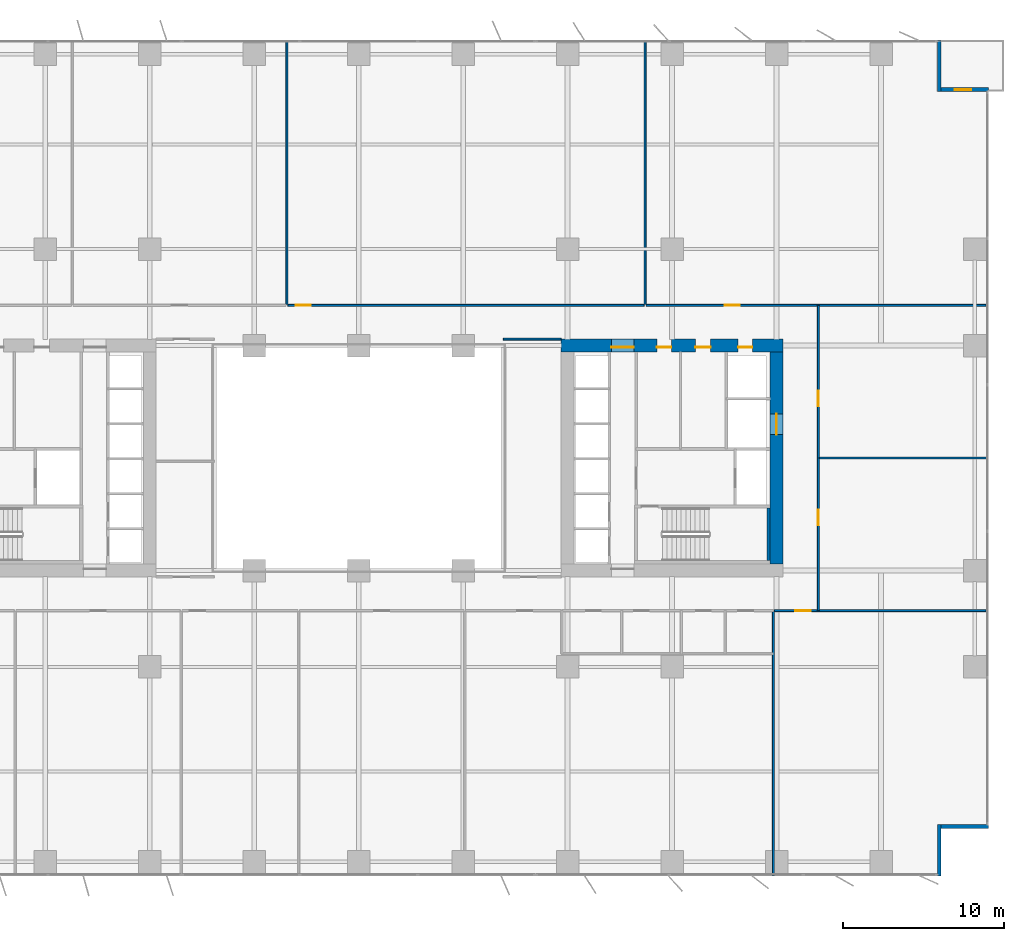
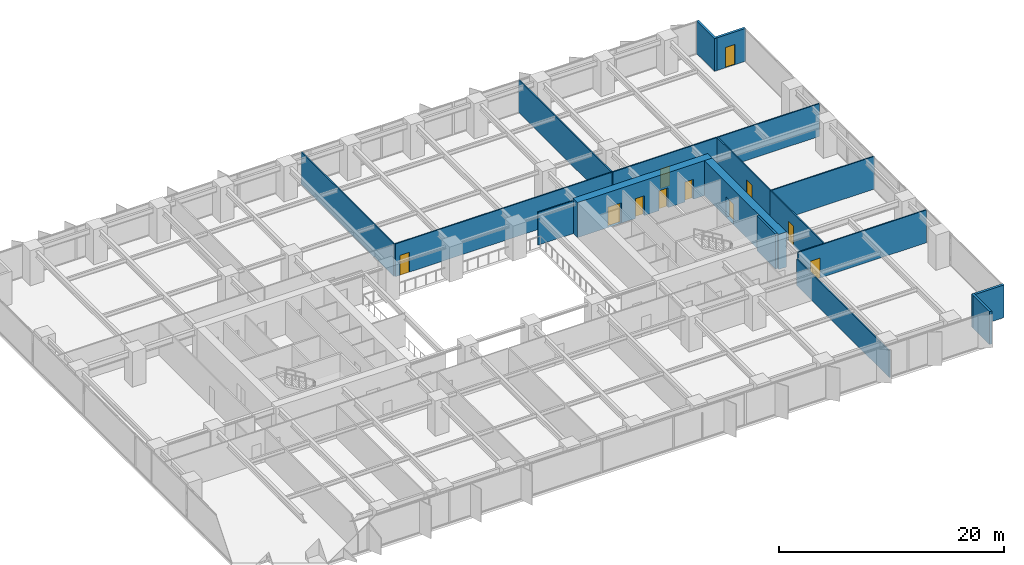
# One storey, part 15 of 20: 17 walls, 11 doors, 11 openings.
"""IFC4 building model written with IfcOpenShell, lengths in metres."""

from ifc_helpers import new_model, si_unit, direction, frame, frame_2d, origin, place, context, subcontext, project, spatial, rectangle, extrude, material, layer, layer_set, type_object, element, fill, save


model = new_model("IFC4")

# Units and contexts
model_context = context("Model", 3, precision=1e-05, world=origin(), true_north=direction((0.0, 1.0)))
body_context = subcontext(model_context, "Body", "Model", "MODEL_VIEW")
ifc_project = project(units=[si_unit("LENGTHUNIT", "METRE"), si_unit("AREAUNIT", "SQUARE_METRE"), si_unit("VOLUMEUNIT", "CUBIC_METRE"), si_unit("PLANEANGLEUNIT", "RADIAN"), si_unit("MASSUNIT", "GRAM", prefix="KILO")], contexts=[model_context])

# Site, building, storey
site_placement = place(None, origin())
site = spatial("IfcSite", under=ifc_project, at=site_placement, CompositionType="ELEMENT")
building_placement = place(site_placement, origin())
building = spatial("IfcBuilding", under=site, at=building_placement, Name="Putna Gate Headquarters", CompositionType="ELEMENT")
storey_placement = place(building_placement, frame((0.0, 0.0, 65.800048828125)))
storey = spatial("IfcBuildingStorey", under=building, at=storey_placement, Name="L15", CompositionType="ELEMENT", Elevation=65.800048828125)

# Wall, openings, doors
ifc_material_1 = material(Name="Concrete C60/75", Category="concrete")
ifc_layer_1 = layer(ifc_material_1, 0.800048828125)
ifc_layer_set_1 = layer_set([ifc_layer_1], Name="Concrete C60/75")
wall_type_1 = type_object("IfcWallType", Name="WALL-CORE-800", PredefinedType="SHEAR", material=ifc_layer_set_1)
wall_1_placement = place(storey_placement, frame((51.60009765625, 33.0, 0.0), z_axis=(0.0, 0.0, 1.0), x_axis=(1.0, 0.0, 0.0)))
wall_1 = element("IfcWall", 1, at=wall_1_placement, inside=storey, type_object=wall_type_1, Name="L15 EC Split Core Shear Wall N", PredefinedType="SHEAR", context=body_context, shape_type="SweptSolid", body=[
    extrude(rectangle(XDim=13.7998046875, YDim=0.800048828125, at=frame_2d((6.89990234375, 0.0))), origin(), (0.0, 0.0, 1.0), 3.800048828125),
])
opening_1_placement = place(wall_1_placement, frame((3.1201171875, 0.0, 0.0)))
opening_1 = element("IfcOpeningElement", 2, at=opening_1_placement, cuts=wall_1, Name="Opening FDD-140", PredefinedType="OPENING", context=body_context, shape_type="SweptSolid", body=[
    extrude(rectangle(XDim=1.39990234375, YDim=2.199951171875, at=frame_2d((0.699951171875, 1.10009765625))), frame((0.0, 0.409912109375, 0.0), z_axis=(0.0, -1.0, 0.0), x_axis=(1.0, 0.0, 0.0)), (0.0, 0.0, 1.0), 0.820068359375),
])
opening_2_placement = place(wall_1_placement, frame((11.0, 0.0, 0.0)))
opening_2 = element("IfcOpeningElement", 3, at=opening_2_placement, cuts=wall_1, Name="Opening RD-90", PredefinedType="OPENING", context=body_context, shape_type="SweptSolid", body=[
    extrude(rectangle(XDim=0.89990234375, YDim=2.14990234375, at=frame_2d((0.449951171875, 1.074951171875))), frame((0.0, 0.409912109375, 0.0), z_axis=(0.0, -1.0, 0.0), x_axis=(1.0, 0.0, 0.0)), (0.0, 0.0, 1.0), 0.820068359375),
])
opening_3_placement = place(wall_1_placement, frame((5.949951171875, 0.0, 0.0)))
opening_3 = element("IfcOpeningElement", 4, at=opening_3_placement, cuts=wall_1, Name="Opening IDS-90", PredefinedType="OPENING", context=body_context, shape_type="SweptSolid", body=[
    extrude(rectangle(XDim=0.89990234375, YDim=2.14990234375, at=frame_2d((0.449951171875, 1.074951171875))), frame((0.0, 0.409912109375, 0.0), z_axis=(0.0, -1.0, 0.0), x_axis=(1.0, 0.0, 0.0)), (0.0, 0.0, 1.0), 0.820068359375),
])
opening_4_placement = place(wall_1_placement, frame((8.35009765625, 0.0, 0.0)))
opening_4 = element("IfcOpeningElement", 5, at=opening_4_placement, cuts=wall_1, Name="Opening IDS-95", PredefinedType="OPENING", context=body_context, shape_type="SweptSolid", body=[
    extrude(rectangle(XDim=0.949951171875, YDim=2.14990234375, at=frame_2d((0.47509765625, 1.074951171875))), frame((0.0, 0.409912109375, 0.0), z_axis=(0.0, -1.0, 0.0), x_axis=(1.0, 0.0, 0.0)), (0.0, 0.0, 1.0), 0.820068359375),
])
ifc_material_2 = material(Name="Double steel fire door", Category="steel")
door_type_1 = type_object("IfcDoorType", Name="DOOR-FIRE-DBL-1400", OperationType="DOUBLE_DOOR_SINGLE_SWING", PredefinedType="DOOR", material=ifc_material_2)
door_1_placement = place(opening_1_placement, origin())
door_1 = element("IfcDoor", 6, at=door_1_placement, inside=storey, type_object=door_type_1, Name="L15 East Lift Lobby North Door", OperationType="DOUBLE_DOOR_SINGLE_SWING", OverallHeight=2.199951171875, OverallWidth=1.39990234375, PredefinedType="DOOR", context=body_context, shape_type="SweptSolid", body=[
    extrude(rectangle(XDim=1.39990234375, YDim=2.199951171875, at=frame_2d((0.699951171875, 1.10009765625))), frame((0.0, -0.0751953125, 0.0), z_axis=(0.0, -1.0, 0.0), x_axis=(1.0, 0.0, 0.0)), (0.0, 0.0, 1.0), 0.050048828125),
])
fill(opening_1, door_1)
ifc_material_3 = material(Name="Fire-rated utility door")
door_type_2 = type_object("IfcDoorType", Name="DOOR-INT-900", OperationType="NOTDEFINED", PredefinedType="DOOR", material=ifc_material_3)
door_2_placement = place(opening_3_placement, origin())
door_2 = element("IfcDoor", 7, at=door_2_placement, inside=storey, type_object=door_type_2, Name="L15 Telecoms Plant Door", OperationType="SINGLE_SWING_LEFT", OverallHeight=2.14990234375, OverallWidth=0.89990234375, PredefinedType="DOOR", context=body_context, shape_type="SweptSolid", body=[
    extrude(rectangle(XDim=0.89990234375, YDim=2.14990234375, at=frame_2d((0.449951171875, 1.074951171875))), frame((0.0, -0.0751953125, 0.0), z_axis=(0.0, -1.0, 0.0), x_axis=(1.0, 0.0, 0.0)), (0.0, 0.0, 1.0), 0.050048828125),
])
fill(opening_3, door_2)
ifc_material_4 = material(Name="Fire-rated service timber door", Category="wood")
door_type_3 = type_object("IfcDoorType", Name="DOOR-INT-950", OperationType="NOTDEFINED", PredefinedType="DOOR", material=ifc_material_4)
door_3_placement = place(opening_4_placement, origin())
door_3 = element("IfcDoor", 8, at=door_3_placement, inside=storey, type_object=door_type_3, Name="L15 Supplies Store Door", OperationType="SINGLE_SWING_RIGHT", OverallHeight=2.14990234375, OverallWidth=0.949951171875, PredefinedType="DOOR", context=body_context, shape_type="SweptSolid", body=[
    extrude(rectangle(XDim=0.949951171875, YDim=2.14990234375, at=frame_2d((0.47509765625, 1.074951171875))), frame((0.0, -0.0751953125, 0.0), z_axis=(0.0, -1.0, 0.0), x_axis=(1.0, 0.0, 0.0)), (0.0, 0.0, 1.0), 0.050048828125),
])
fill(opening_4, door_3)
ifc_material_5 = material(Name="Steel riser access fire door", Category="steel")
door_type_4 = type_object("IfcDoorType", Name="DOOR-RISER-900", OperationType="NOTDEFINED", PredefinedType="DOOR", material=ifc_material_5)
door_4_placement = place(opening_2_placement, origin())
door_4 = element("IfcDoor", 9, at=door_4_placement, inside=storey, type_object=door_type_4, Name="L15 East Riser Access Door", OperationType="SINGLE_SWING_LEFT", OverallHeight=2.14990234375, OverallWidth=0.89990234375, PredefinedType="DOOR", context=body_context, shape_type="SweptSolid", body=[
    extrude(rectangle(XDim=0.89990234375, YDim=2.14990234375, at=frame_2d((0.449951171875, 1.074951171875))), frame((0.0, -0.0751953125, 0.0), z_axis=(0.0, -1.0, 0.0), x_axis=(1.0, 0.0, 0.0)), (0.0, 0.0, 1.0), 0.050048828125),
])
fill(opening_2, door_4)

# Wall, opening, door
wall_2_placement = place(storey_placement, frame((65.0, 19.39990234375, 0.0), z_axis=(0.0, 0.0, 1.0), x_axis=(0.0, 1.0, 0.0)))
wall_2 = element("IfcWall", 10, at=wall_2_placement, inside=storey, type_object=wall_type_1, Name="L15 EC Split Core Shear Wall E", PredefinedType="SHEAR", context=body_context, shape_type="SweptSolid", body=[
    extrude(rectangle(XDim=13.2001953125, YDim=0.800048828125, at=frame_2d((6.60009765625, 0.0))), origin(), (0.0, 0.0, 1.0), 3.800048828125),
])
opening_5_placement = place(wall_2_placement, frame((8.050048828125, 0.0, 0.0)))
opening_5 = element("IfcOpeningElement", 11, at=opening_5_placement, cuts=wall_2, Name="Opening LD-2", PredefinedType="OPENING", context=body_context, shape_type="SweptSolid", body=[
    extrude(rectangle(XDim=1.300048828125, YDim=2.199951171875, at=frame_2d((0.64990234375, 1.10009765625))), frame((0.0, 0.409912109375, 0.0), z_axis=(0.0, -1.0, 0.0), x_axis=(1.0, 0.0, 0.0)), (0.0, 0.0, 1.0), 0.820068359375),
])
ifc_material_6 = material(Name="Heavy-duty goods lift sliding landing door")
door_type_5 = type_object("IfcDoorType", Name="DOOR-LIFT-1300", OperationType="DOUBLE_DOOR_SLIDING", PredefinedType="DOOR", material=ifc_material_6)
door_5_placement = place(opening_5_placement, origin())
door_5 = element("IfcDoor", 12, at=door_5_placement, inside=storey, type_object=door_type_5, Name="L15 Goods Lift Landing Door LD-15", OperationType="DOUBLE_DOOR_SLIDING", OverallHeight=2.199951171875, OverallWidth=1.300048828125, PredefinedType="DOOR", context=body_context, shape_type="SweptSolid", body=[
    extrude(rectangle(XDim=1.300048828125, YDim=2.199951171875, at=frame_2d((0.64990234375, 1.10009765625))), frame((0.0, 0.02490234375, 0.0), z_axis=(0.0, -1.0, 0.0), x_axis=(1.0, 0.0, 0.0)), (0.0, 0.0, 1.0), 0.050048828125),
])
fill(opening_5, door_5)

# Wall
ifc_material_7 = material(Name="Precast concrete C40/50", Category="concrete")
ifc_layer_2 = layer(ifc_material_7, 0.239990234375)
ifc_layer_set_2 = layer_set([ifc_layer_2], Name="Precast concrete C40/50")
wall_type_2 = type_object("IfcWallType", Name="WALL-EXT-TERR-240", PredefinedType="STANDARD", material=ifc_layer_set_2)
wall_3_placement = place(storey_placement, frame((75.1201171875, 52.0, 0.0), z_axis=(0.0, 0.0, 1.0), x_axis=(0.0, -1.0, 0.0)))
element("IfcWall", 13, at=wall_3_placement, inside=storey, type_object=wall_type_2, Name="L15 Corner Notch Return Wall NE-V", PredefinedType="STANDARD", context=body_context, shape_type="SweptSolid", body=[
    extrude(rectangle(XDim=3.199951171875, YDim=0.239990234375, at=frame_2d((1.60009765625, 0.0))), origin(), (0.0, 0.0, 1.0), 3.550048828125),
])

# Wall, opening, door
wall_4_placement = place(storey_placement, frame((75.0, 48.919921875, 0.0), z_axis=(0.0, 0.0, 1.0), x_axis=(1.0, 0.0, 0.0)))
wall_4 = element("IfcWall", 14, at=wall_4_placement, inside=storey, type_object=wall_type_2, Name="L15 Corner Notch Return Wall NE-H", PredefinedType="STANDARD", context=body_context, shape_type="SweptSolid", body=[
    extrude(rectangle(XDim=3.199951171875, YDim=0.239990234375, at=frame_2d((1.60009765625, 0.0))), origin(), (0.0, 0.0, 1.0), 3.550048828125),
])
opening_6_placement = place(wall_4_placement, frame((1.10009765625, 0.0, 0.0)))
opening_6 = element("IfcOpeningElement", 15, at=opening_6_placement, cuts=wall_4, Name="Opening TRD-1", PredefinedType="OPENING", context=body_context, shape_type="SweptSolid", body=[
    extrude(rectangle(XDim=1.0, YDim=2.199951171875, at=frame_2d((0.5, 1.10009765625))), frame((0.0, 0.1298828125, 0.0), z_axis=(0.0, -1.0, 0.0), x_axis=(1.0, 0.0, 0.0)), (0.0, 0.0, 1.0), 0.260009765625),
])
ifc_material_8 = material(Name="Thermally broken bronze glazed terrace door")
door_type_6 = type_object("IfcDoorType", Name="DOOR-TERR-EXT-1000", OperationType="NOTDEFINED", PredefinedType="DOOR", material=ifc_material_8)
door_6_placement = place(opening_6_placement, origin())
door_6 = element("IfcDoor", 16, at=door_6_placement, inside=storey, type_object=door_type_6, Name="L15 Spiral Sky Terrace Door NE", OperationType="SINGLE_SWING_LEFT", OverallHeight=2.199951171875, OverallWidth=1.0, PredefinedType="DOOR", context=body_context, shape_type="SweptSolid", body=[
    extrude(rectangle(XDim=1.0, YDim=2.199951171875, at=frame_2d((0.5, 1.10009765625))), frame((0.0, 0.02490234375, 0.0), z_axis=(0.0, -1.0, 0.0), x_axis=(1.0, 0.0, 0.0)), (0.0, 0.0, 1.0), 0.050048828125),
])
fill(opening_6, door_6)

# Walls
for number, where, z_axis, x_axis, name in (
    (17, (75.1201171875, 3.199951171875, 0.0), (0.0, 0.0, 1.0), (0.0, -1.0, 0.0), "L15 Corner Notch Return Wall SE-V"),
    (18, (78.199951171875, 3.080078125, 0.0), (0.0, 0.0, 1.0), (-1.0, 0.0, 0.0), "L15 Corner Notch Return Wall SE-H"),
):
    element("IfcWall", number, at=place(storey_placement, frame(where, z_axis=z_axis, x_axis=x_axis)), inside=storey, type_object=wall_type_2, Name=name, PredefinedType="STANDARD", context=body_context, shape_type="SweptSolid", body=[
        extrude(rectangle(XDim=3.199951171875, YDim=0.239990234375, at=frame_2d((1.60009765625, 0.0))), origin(), (0.0, 0.0, 1.0), 3.550048828125),
    ])
ifc_material_9 = material(Name="Acoustic gypsum board on metal stud")
ifc_layer_3 = layer(ifc_material_9, 0.1201171875)
ifc_layer_set_3 = layer_set([ifc_layer_3], Name="Acoustic gypsum board on metal stud")
wall_type_3 = type_object("IfcWallType", Name="WALL-PART-120", PredefinedType="PARTITIONING", material=ifc_layer_set_3)
wall_5_placement = place(storey_placement, frame((48.0, 33.39990234375, 0.0), z_axis=(0.0, 0.0, 1.0), x_axis=(1.0, 0.0, 0.0)))
element("IfcWall", 19, at=wall_5_placement, inside=storey, type_object=wall_type_3, Name="L15 Interior Wall PART-L15-ATR-E-N", PredefinedType="PARTITIONING", context=body_context, shape_type="SweptSolid", body=[
    extrude(rectangle(XDim=3.60009765625, YDim=0.1201171875, at=frame_2d((1.800048828125, 0.0))), origin(), (0.0, 0.0, 1.0), 3.550048828125),
])
for number, where, z_axis, x_axis, name in (
    (20, (34.5283203125, 35.56005859375, 0.0), (0.0, 0.0, 1.0), (0.0, 1.0, 0.0), "L15 Interior Wall PART-L15-NB-DIV-02"),
    (21, (56.82421875, 35.56005859375, 0.0), (0.0, 0.0, 1.0), (0.0, 1.0, 0.0), "L15 Interior Wall PART-L15-NB-DIV-03"),
):
    element("IfcWall", number, at=place(storey_placement, frame(where, z_axis=z_axis, x_axis=x_axis)), inside=storey, type_object=wall_type_3, Name=name, PredefinedType="PARTITIONING", context=body_context, shape_type="SweptSolid", body=[
        extrude(rectangle(XDim=16.419921875, YDim=0.1201171875, at=frame_2d((8.2099609375, 0.0))), origin(), (0.0, 0.0, 1.0), 3.550048828125),
    ])
wall_6_placement = place(storey_placement, frame((64.800048828125, 0.02001953125, 0.0), z_axis=(0.0, 0.0, 1.0), x_axis=(0.0, 1.0, 0.0)))
element("IfcWall", 22, at=wall_6_placement, inside=storey, type_object=wall_type_3, Name="L15 Interior Wall PART-L15-SB-DIV-06", PredefinedType="PARTITIONING", context=body_context, shape_type="SweptSolid", body=[
    extrude(rectangle(XDim=16.419921875, YDim=0.1201171875, at=frame_2d((8.2099609375, 0.0))), origin(), (0.0, 0.0, 1.0), 2.89990234375),
])
wall_7_placement = place(storey_placement, frame((67.60009765625, 26.0, 0.0), z_axis=(0.0, 0.0, 1.0), x_axis=(1.0, 0.0, 0.0)))
element("IfcWall", 23, at=wall_7_placement, inside=storey, type_object=wall_type_3, Name="L15 Interior Wall PART-L15-EW-DIV-1", PredefinedType="PARTITIONING", context=body_context, shape_type="SweptSolid", body=[
    extrude(rectangle(XDim=10.579833984375, YDim=0.1201171875, at=frame_2d((5.2900390625, 0.0))), origin(), (0.0, 0.0, 1.0), 3.550048828125),
])

# Wall, opening, door
ifc_material_10 = material(Name="Fire-rated gypsum board on metal stud")
ifc_layer_4 = layer(ifc_material_10, 0.1201171875)
ifc_layer_set_4 = layer_set([ifc_layer_4], Name="Fire-rated gypsum board on metal stud")
wall_type_4 = type_object("IfcWallType", Name="WALL-PART-120-RATED", PredefinedType="PARTITIONING", material=ifc_layer_set_4)
wall_8_placement = place(storey_placement, frame((34.58837890625, 35.5, 0.0), z_axis=(0.0, 0.0, 1.0), x_axis=(1.0, 0.0, 0.0)))
wall_8 = element("IfcWall", 24, at=wall_8_placement, inside=storey, type_object=wall_type_4, Name="L15 Interior Wall PART-L15-NB-CW-03", PredefinedType="PARTITIONING", context=body_context, shape_type="SweptSolid", body=[
    extrude(rectangle(XDim=22.176025390625, YDim=0.1201171875, at=frame_2d((11.087890625, 0.0))), origin(), (0.0, 0.0, 1.0), 3.550048828125),
])
opening_7_placement = place(wall_8_placement, frame((0.47998046875, 0.0, 0.0)))
opening_7 = element("IfcOpeningElement", 25, at=opening_7_placement, cuts=wall_8, Name="Opening FD-95", PredefinedType="OPENING", context=body_context, shape_type="SweptSolid", body=[
    extrude(rectangle(XDim=0.949951171875, YDim=2.14990234375, at=frame_2d((0.47509765625, 1.074951171875))), frame((0.0, 0.070068359375, 0.0), z_axis=(0.0, -1.0, 0.0), x_axis=(1.0, 0.0, 0.0)), (0.0, 0.0, 1.0), 0.14013671875),
])
ifc_material_11 = material(Name="Acoustic timber fire door", Category="wood")
door_type_7 = type_object("IfcDoorType", Name="DOOR-FIRE-950", OperationType="NOTDEFINED", PredefinedType="DOOR", material=ifc_material_11)
door_7_placement = place(opening_7_placement, origin())
door_7 = element("IfcDoor", 26, at=door_7_placement, inside=storey, type_object=door_type_7, Name="L15 Conference Meeting Room 3 Door", OperationType="SINGLE_SWING_RIGHT", OverallHeight=2.14990234375, OverallWidth=0.949951171875, PredefinedType="DOOR", context=body_context, shape_type="SweptSolid", body=[
    extrude(rectangle(XDim=0.949951171875, YDim=2.14990234375, at=frame_2d((0.47509765625, 1.074951171875))), frame((0.0, 0.02490234375, 0.0), z_axis=(0.0, -1.0, 0.0), x_axis=(1.0, 0.0, 0.0)), (0.0, 0.0, 1.0), 0.050048828125),
])
fill(opening_7, door_7)

wall_9_placement = place(storey_placement, frame((56.88427734375, 35.5, 0.0), z_axis=(0.0, 0.0, 1.0), x_axis=(1.0, 0.0, 0.0)))
wall_9 = element("IfcWall", 27, at=wall_9_placement, inside=storey, type_object=wall_type_4, Name="L15 Interior Wall PART-L15-NB-CW-04", PredefinedType="PARTITIONING", context=body_context, shape_type="SweptSolid", body=[
    extrude(rectangle(XDim=21.1357421875, YDim=0.1201171875, at=frame_2d((10.56787109375, 0.0))), origin(), (0.0, 0.0, 1.0), 3.550048828125),
])
opening_8_placement = place(wall_9_placement, frame((4.8828125, 0.0, 0.0)))
opening_8 = element("IfcOpeningElement", 28, at=opening_8_placement, cuts=wall_9, Name="Opening FD-95", PredefinedType="OPENING", context=body_context, shape_type="SweptSolid", body=[
    extrude(rectangle(XDim=0.949951171875, YDim=2.14990234375, at=frame_2d((0.47509765625, 1.074951171875))), frame((0.0, 0.070068359375, 0.0), z_axis=(0.0, -1.0, 0.0), x_axis=(1.0, 0.0, 0.0)), (0.0, 0.0, 1.0), 0.14013671875),
])
door_8_placement = place(opening_8_placement, origin())
door_8 = element("IfcDoor", 29, at=door_8_placement, inside=storey, type_object=door_type_7, Name="L15 Cellular Office 1 Door", OperationType="SINGLE_SWING_LEFT", OverallHeight=2.14990234375, OverallWidth=0.949951171875, PredefinedType="DOOR", context=body_context, shape_type="SweptSolid", body=[
    extrude(rectangle(XDim=0.949951171875, YDim=2.14990234375, at=frame_2d((0.47509765625, 1.074951171875))), frame((0.0, 0.02490234375, 0.0), z_axis=(0.0, -1.0, 0.0), x_axis=(1.0, 0.0, 0.0)), (0.0, 0.0, 1.0), 0.050048828125),
])
fill(opening_8, door_8)

wall_10_placement = place(storey_placement, frame((64.860107421875, 16.5, 0.0), z_axis=(0.0, 0.0, 1.0), x_axis=(1.0, 0.0, 0.0)))
wall_10 = element("IfcWall", 30, at=wall_10_placement, inside=storey, type_object=wall_type_4, Name="L15 Interior Wall PART-L15-SB-CW-07", PredefinedType="PARTITIONING", context=body_context, shape_type="SweptSolid", body=[
    extrude(rectangle(XDim=13.159912109375, YDim=0.1201171875, at=frame_2d((6.580078125, 0.0))), origin(), (0.0, 0.0, 1.0), 3.550048828125),
])
opening_9_placement = place(wall_10_placement, frame((1.31005859375, 0.0, 0.0)))
opening_9 = element("IfcOpeningElement", 31, at=opening_9_placement, cuts=wall_10, Name="Opening FD-95", PredefinedType="OPENING", context=body_context, shape_type="SweptSolid", body=[
    extrude(rectangle(XDim=0.949951171875, YDim=2.14990234375, at=frame_2d((0.47509765625, 1.074951171875))), frame((0.0, 0.070068359375, 0.0), z_axis=(0.0, -1.0, 0.0), x_axis=(1.0, 0.0, 0.0)), (0.0, 0.0, 1.0), 0.14013671875),
])
door_9_placement = place(opening_9_placement, origin())
door_9 = element("IfcDoor", 32, at=door_9_placement, inside=storey, type_object=door_type_7, Name="L15 Conference Meeting Room 1 Door", OperationType="SINGLE_SWING_RIGHT", OverallHeight=2.14990234375, OverallWidth=0.949951171875, PredefinedType="DOOR", context=body_context, shape_type="SweptSolid", body=[
    extrude(rectangle(XDim=0.949951171875, YDim=2.14990234375, at=frame_2d((0.47509765625, 1.074951171875))), frame((0.0, 0.02490234375, 0.0), z_axis=(0.0, -1.0, 0.0), x_axis=(1.0, 0.0, 0.0)), (0.0, 0.0, 1.0), 0.050048828125),
])
fill(opening_9, door_9)

wall_11_placement = place(storey_placement, frame((67.60009765625, 16.5, 0.0), z_axis=(0.0, 0.0, 1.0), x_axis=(0.0, 1.0, 0.0)))
wall_11 = element("IfcWall", 33, at=wall_11_placement, inside=storey, type_object=wall_type_4, Name="L15 Interior Wall PART-L15-EW-CW-1", PredefinedType="PARTITIONING", context=body_context, shape_type="SweptSolid", body=[
    extrude(rectangle(XDim=9.5, YDim=0.1201171875, at=frame_2d((4.75, 0.0))), origin(), (0.0, 0.0, 1.0), 3.550048828125),
])
opening_10_placement = place(wall_11_placement, frame((5.324951171875, 0.0, 0.0)))
opening_10 = element("IfcOpeningElement", 34, at=opening_10_placement, cuts=wall_11, Name="Opening FD-95", PredefinedType="OPENING", context=body_context, shape_type="SweptSolid", body=[
    extrude(rectangle(XDim=0.949951171875, YDim=2.14990234375, at=frame_2d((0.47509765625, 1.074951171875))), frame((0.0, 0.070068359375, 0.0), z_axis=(0.0, -1.0, 0.0), x_axis=(1.0, 0.0, 0.0)), (0.0, 0.0, 1.0), 0.14013671875),
])
door_10_placement = place(opening_10_placement, origin())
door_10 = element("IfcDoor", 35, at=door_10_placement, inside=storey, type_object=door_type_7, Name="L15 East Horizon Conference Room 1 Door", OperationType="SINGLE_SWING_RIGHT", OverallHeight=2.14990234375, OverallWidth=0.949951171875, PredefinedType="DOOR", context=body_context, shape_type="SweptSolid", body=[
    extrude(rectangle(XDim=0.949951171875, YDim=2.14990234375, at=frame_2d((0.47509765625, 1.074951171875))), frame((0.0, 0.02490234375, 0.0), z_axis=(0.0, -1.0, 0.0), x_axis=(1.0, 0.0, 0.0)), (0.0, 0.0, 1.0), 0.050048828125),
])
fill(opening_10, door_10)

wall_12_placement = place(storey_placement, frame((67.60009765625, 26.0, 0.0), z_axis=(0.0, 0.0, 1.0), x_axis=(0.0, 1.0, 0.0)))
wall_12 = element("IfcWall", 36, at=wall_12_placement, inside=storey, type_object=wall_type_4, Name="L15 Interior Wall PART-L15-EW-CW-2", PredefinedType="PARTITIONING", context=body_context, shape_type="SweptSolid", body=[
    extrude(rectangle(XDim=9.5, YDim=0.1201171875, at=frame_2d((4.75, 0.0))), origin(), (0.0, 0.0, 1.0), 3.550048828125),
])
opening_11_placement = place(wall_12_placement, frame((3.22509765625, 0.0, 0.0)))
opening_11 = element("IfcOpeningElement", 37, at=opening_11_placement, cuts=wall_12, Name="Opening FD-95", PredefinedType="OPENING", context=body_context, shape_type="SweptSolid", body=[
    extrude(rectangle(XDim=0.949951171875, YDim=2.14990234375, at=frame_2d((0.47509765625, 1.074951171875))), frame((0.0, 0.070068359375, 0.0), z_axis=(0.0, -1.0, 0.0), x_axis=(1.0, 0.0, 0.0)), (0.0, 0.0, 1.0), 0.14013671875),
])
door_11_placement = place(opening_11_placement, origin())
door_11 = element("IfcDoor", 38, at=door_11_placement, inside=storey, type_object=door_type_7, Name="L15 East Horizon Conference Room 2 Door", OperationType="SINGLE_SWING_LEFT", OverallHeight=2.14990234375, OverallWidth=0.949951171875, PredefinedType="DOOR", context=body_context, shape_type="SweptSolid", body=[
    extrude(rectangle(XDim=0.949951171875, YDim=2.14990234375, at=frame_2d((0.47509765625, 1.074951171875))), frame((0.0, 0.02490234375, 0.0), z_axis=(0.0, -1.0, 0.0), x_axis=(1.0, 0.0, 0.0)), (0.0, 0.0, 1.0), 0.050048828125),
])
fill(opening_11, door_11)

# Wall
ifc_material_12 = material(Name="Concrete C40/50", Category="concrete")
ifc_layer_5 = layer(ifc_material_12, 0.199951171875)
ifc_layer_set_5 = layer_set([ifc_layer_5], Name="Concrete C40/50")
wall_type_5 = type_object("IfcWallType", Name="WALL-SHAFT-RC200", PredefinedType="SHEAR", material=ifc_layer_set_5)
wall_13_placement = place(storey_placement, frame((64.489990234375, 19.610107421875, 0.0), z_axis=(0.0, 0.0, 1.0), x_axis=(0.0, 1.0, 0.0)))
element("IfcWall", 39, at=wall_13_placement, inside=storey, type_object=wall_type_5, Name="L15 Stair ST2 Structural Shaft Wall E", PredefinedType="SHEAR", context=body_context, shape_type="SweptSolid", body=[
    extrude(rectangle(XDim=3.27978515625, YDim=0.199951171875, at=frame_2d((1.639892578125, 0.0))), origin(), (0.0, 0.0, 1.0), 3.800048828125),
])

save(model, "model.ifc")
